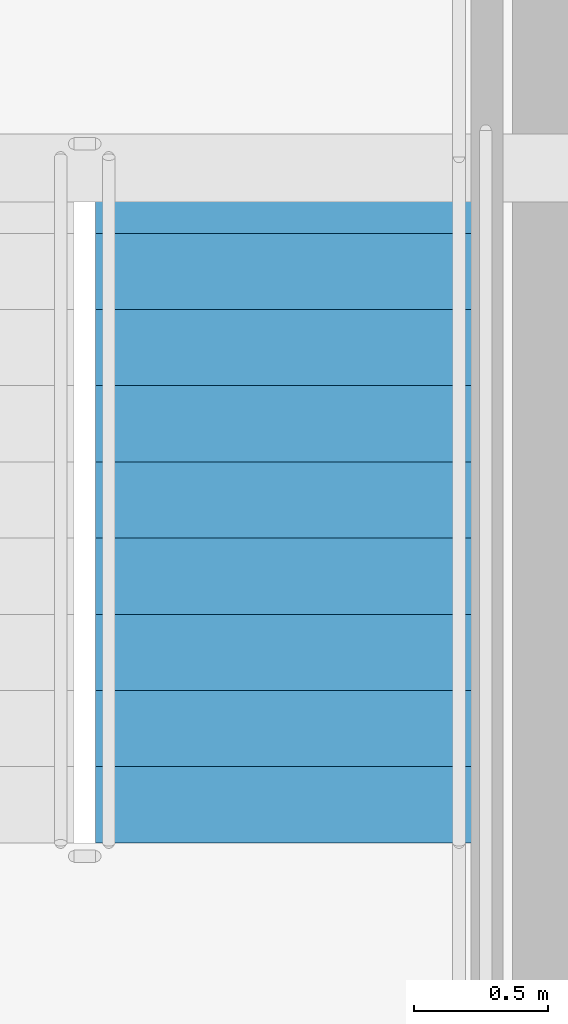
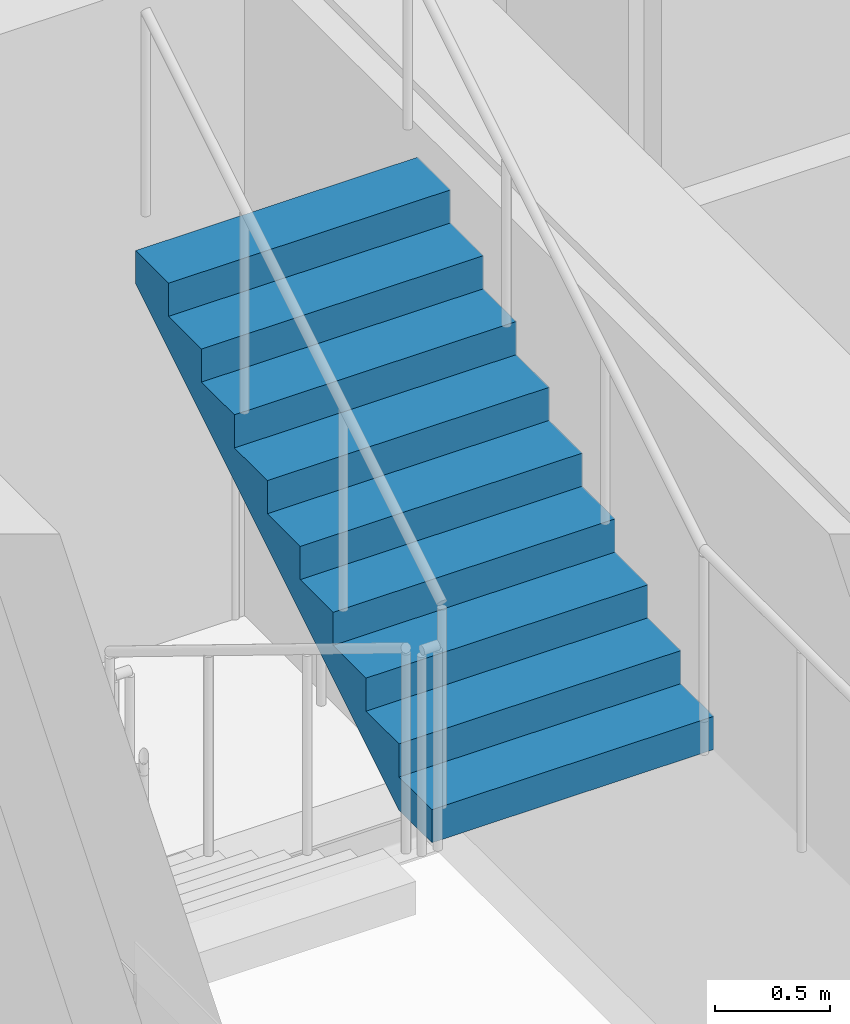
# One storey, part 17 of 20: 1 stair flight, 1 element without a shape of its own.
"""IFC4 building model written with IfcOpenShell, lengths in metres."""

from ifc_helpers import new_model, si_unit, direction, frame, origin, place, context, subcontext, project, spatial, polyline, outline, extrude, material, type_object, element, aggregate, save


model = new_model("IFC4")

# Units and contexts
model_context = context("Model", 3, precision=1e-05, world=origin(), true_north=direction((0.0, 1.0)))
body_context = subcontext(model_context, "Body", "Model", "MODEL_VIEW")
ifc_project = project(units=[si_unit("LENGTHUNIT", "METRE"), si_unit("AREAUNIT", "SQUARE_METRE"), si_unit("VOLUMEUNIT", "CUBIC_METRE"), si_unit("PLANEANGLEUNIT", "RADIAN"), si_unit("MASSUNIT", "GRAM", prefix="KILO")], contexts=[model_context])

# Site, building, storey
site_placement = place(None, origin())
site = spatial("IfcSite", under=ifc_project, at=site_placement, CompositionType="ELEMENT")
building_placement = place(site_placement, origin())
building = spatial("IfcBuilding", under=site, at=building_placement, Name="Bramvorn Convention Spire", CompositionType="ELEMENT")
storey_placement = place(building_placement, frame((0.0, 0.0, 151.800048828125)))
storey = spatial("IfcBuildingStorey", under=building, at=storey_placement, Name="L38", CompositionType="ELEMENT", Elevation=151.800048828125)

# Stair, stair flight
ifc_material_1 = material(Name="Concrete C40/50 Precast Stair", Category="concrete")
stair_type = type_object("IfcStairType", Name="ST-TOWER-1550", PredefinedType="HALF_TURN_STAIR", material=ifc_material_1)
stair_placement = place(storey_placement, origin())
stair = element("IfcStair", 1, at=stair_placement, inside=storey, type_object=stair_type, Name="L38 Protected Exit Stair ST2", PredefinedType="HALF_TURN_STAIR")
ifc_material_2 = material(Name="Concrete C40/50 Precast Stair Flight", Category="concrete")
stair_flight_type = type_object("IfcStairFlightType", Name="STF-TOWER-1550", PredefinedType="STRAIGHT", material=ifc_material_2)
stair_flight_placement = place(storey_placement, frame((47.844970703125, 22.485107421875, 1.75), z_axis=(0.0, 0.0, 1.0), x_axis=(0.0, 1.0, 0.0)))
stair_flight = element("IfcStairFlight", 2, at=stair_flight_placement, type_object=stair_flight_type, Name="ST2 flight 2", NumberOfRisers=10, NumberOfTreads=9, PredefinedType="STRAIGHT", RiserHeight=0.175, TreadLength=0.285, context=body_context, shape_type="SweptSolid", body=[
    extrude(outline(polyline([(0.0, 0.0), (0.0, 0.175048828125), (0.284912109375, 0.175048828125), (0.284912109375, 0.35009765625), (0.570068359375, 0.35009765625), (0.570068359375, 0.52490234375), (0.85498046875, 0.52490234375), (0.85498046875, 0.699951171875), (1.139892578125, 0.699951171875), (1.139892578125, 0.875), (1.425048828125, 0.875), (1.425048828125, 1.050048828125), (1.7099609375, 1.050048828125), (1.7099609375, 1.22509765625), (1.9951171875, 1.22509765625), (1.9951171875, 1.39990234375), (2.280029296875, 1.39990234375), (2.280029296875, 1.574951171875), (2.56494140625, 1.574951171875), (2.56494140625, 1.75), (2.56494140625, 1.399169921875), (0.286376953125, 0.0), (0.0, 0.0)])), frame((0.0, 0.705078125, 0.0), z_axis=(0.0, -1.0, 0.0), x_axis=(1.0, 0.0, 0.0)), (0.0, 0.0, 1.0), 1.409912109375),
])
aggregate(stair, [stair_flight])

save(model, "model.ifc")
